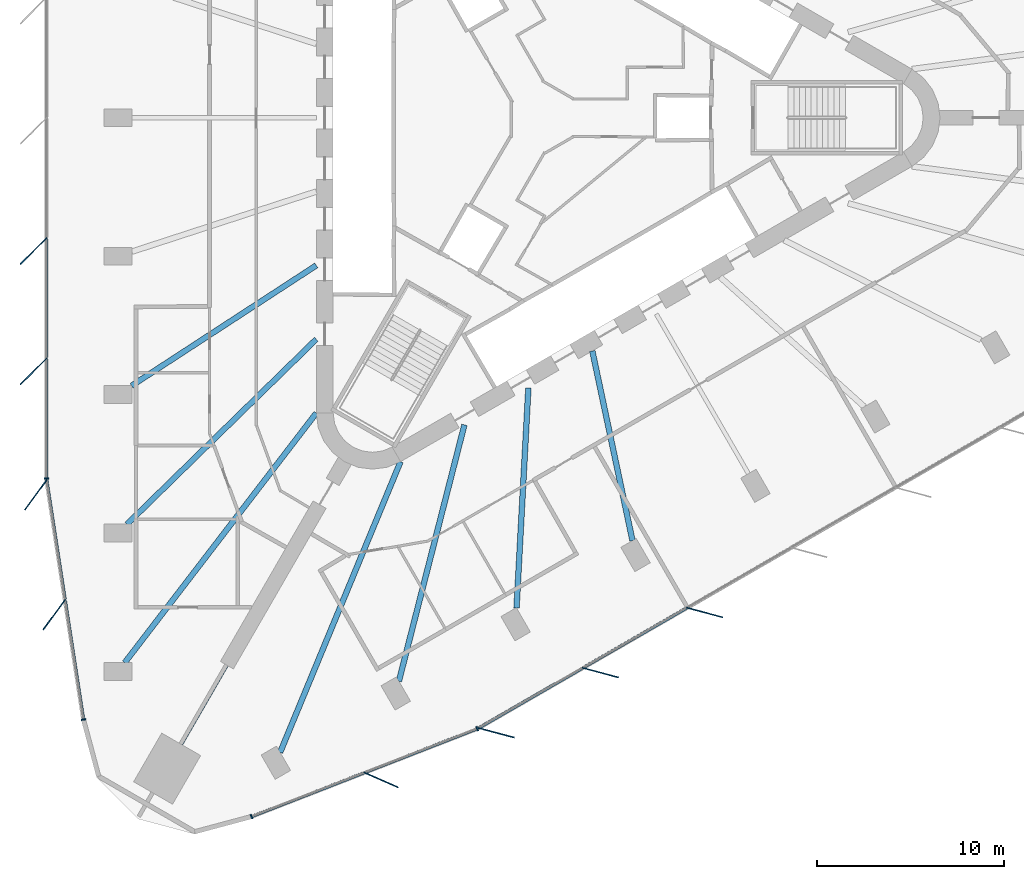
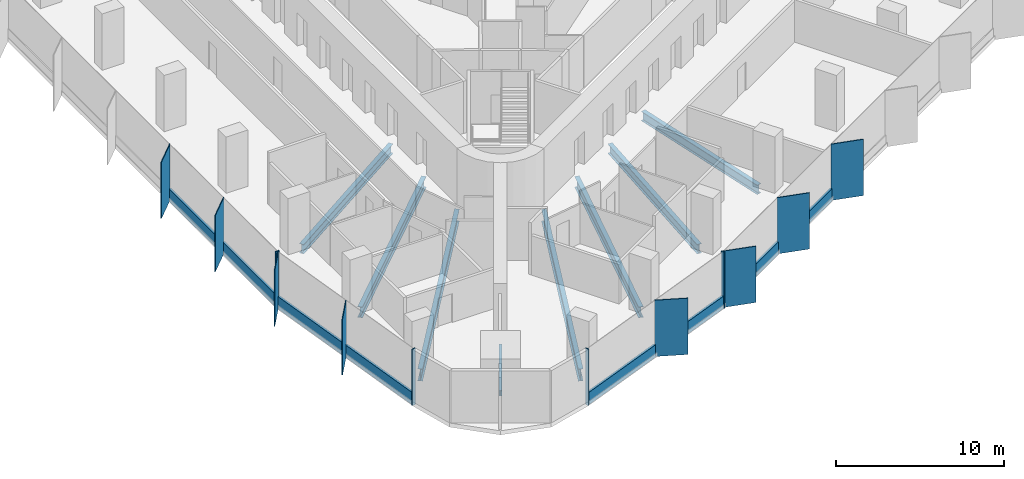
# One storey, part 2 of 15: 20 members, 8 beams, 4 elements without a shape of their own.
"""IFC4 building model written with IfcOpenShell, lengths in metres."""

from ifc_helpers import new_model, si_unit, direction, frame, origin, origin_2d, place, context, subcontext, project, spatial, rectangle, i_section, extrude, material, material_profile, profile_set, type_object, element, aggregate, save


model = new_model("IFC4")

# Units and contexts
model_context = context("Model", 3, precision=1e-05, world=origin(), true_north=direction((0.0, 1.0)))
body_context = subcontext(model_context, "Body", "Model", "MODEL_VIEW")
ifc_project = project(units=[si_unit("LENGTHUNIT", "METRE"), si_unit("AREAUNIT", "SQUARE_METRE"), si_unit("VOLUMEUNIT", "CUBIC_METRE"), si_unit("PLANEANGLEUNIT", "RADIAN"), si_unit("MASSUNIT", "GRAM", prefix="KILO")], contexts=[model_context])

# Site, building, storey
site_placement = place(None, origin())
site = spatial("IfcSite", under=ifc_project, at=site_placement, CompositionType="ELEMENT")
building_placement = place(site_placement, origin())
building = spatial("IfcBuilding", under=site, at=building_placement, Name="Tanit Gate Tower", CompositionType="ELEMENT")
storey_placement = place(building_placement, frame((0.0, 0.0, 139.800048828125)))
storey = spatial("IfcBuildingStorey", under=building, at=storey_placement, Name="L30", CompositionType="ELEMENT", Elevation=139.800048828125)

# Curtain wall, members
ifc_material_1 = material(Name="Aluminium bronze anodised and glass", Category="aluminium")
curtain_wall_type = type_object("IfcCurtainWallType", Name="Curtain wall typical low", PredefinedType="NOTDEFINED", material=ifc_material_1)
curtain_wall_1_placement = place(storey_placement, origin())
curtain_wall_1 = element("IfcCurtainWall", 1, at=curtain_wall_1_placement, inside=storey, type_object=curtain_wall_type, Name="Curtain wall L30 W2", PredefinedType="NOTDEFINED")
ifc_material_2 = material(Name="Aluminium bronze anodised", Category="aluminium")
ifc_material_profile_1 = material_profile(ifc_material_2, rectangle(XDim=2.0, YDim=0.055908203125, at=origin_2d()), Name="56x2000 bronze fin mullion")
ifc_profile_set_1 = profile_set([ifc_material_profile_1], Name="Aluminium bronze anodised")
member_type_1 = type_object("IfcMemberType", Name="FIN MULLION 56x2000 bronze", PredefinedType="MULLION", material=ifc_profile_set_1)
member_1_placement = place(storey_placement, frame((-27.19189453125, -7.11328125, -0.300048828125), z_axis=(0.0, 0.0, 1.0), x_axis=(0.707155809403, 0.707057749571, 0.0)))
member_1 = element("IfcMember", 2, at=member_1_placement, type_object=member_type_1, Name="Fin mullion L30 W2.5", PredefinedType="MULLION", context=body_context, shape_type="SweptSolid", body=[
    extrude(rectangle(XDim=2.0, YDim=0.055908203125, at=origin_2d()), origin(), (0.0, 0.0, 1.0), 4.10009765625),
])
member_2_placement = place(storey_placement, frame((-27.1923828125, -13.535400390625, -0.300048828125), z_axis=(0.0, 0.0, 1.0), x_axis=(0.707155809403, 0.707057749571, 0.0)))
member_2 = element("IfcMember", 3, at=member_2_placement, type_object=member_type_1, Name="Fin mullion L30 W2.6", PredefinedType="MULLION", context=body_context, shape_type="SweptSolid", body=[
    extrude(rectangle(XDim=2.0, YDim=0.055908203125, at=origin_2d()), origin(), (0.0, 0.0, 1.0), 4.10009765625),
])

curtain_wall_2_placement = place(storey_placement, origin())
curtain_wall_2 = element("IfcCurtainWall", 4, at=curtain_wall_2_placement, inside=storey, type_object=curtain_wall_type, Name="Curtain wall L30 W3", PredefinedType="NOTDEFINED")
member_3_placement = place(storey_placement, frame((-27.07373046875, -20.134033203125, -0.300048828125), z_axis=(0.0, 0.0, 1.0), x_axis=(0.591404079299, 0.806375356139, 0.0)))
member_3 = element("IfcMember", 5, at=member_3_placement, type_object=member_type_1, Name="Fin mullion L30 W3.1", PredefinedType="MULLION", context=body_context, shape_type="SweptSolid", body=[
    extrude(rectangle(XDim=2.0, YDim=0.055908203125, at=origin_2d()), origin(), (0.0, 0.0, 1.0), 4.10009765625),
])
member_4_placement = place(storey_placement, frame((-26.0908203125, -26.525390625, -0.300048828125), z_axis=(0.0, 0.0, 1.0), x_axis=(0.591404079299, 0.806375356139, 0.0)))
member_4 = element("IfcMember", 6, at=member_4_placement, type_object=member_type_1, Name="Fin mullion L30 W3.2", PredefinedType="MULLION", context=body_context, shape_type="SweptSolid", body=[
    extrude(rectangle(XDim=2.0, YDim=0.055908203125, at=origin_2d()), origin(), (0.0, 0.0, 1.0), 4.10009765625),
])

# Curtain wall, member
curtain_wall_3_placement = place(storey_placement, origin())
curtain_wall_3 = element("IfcCurtainWall", 7, at=curtain_wall_3_placement, inside=storey, type_object=curtain_wall_type, Name="Curtain wall L30 SE1", PredefinedType="NOTDEFINED")
member_5_placement = place(storey_placement, frame((-8.638671875, -35.35546875, -0.300048828125), z_axis=(0.0, 0.0, 1.0), x_axis=(-0.915440438595, 0.402453479778, 0.0)))
member_5 = element("IfcMember", 8, at=member_5_placement, type_object=member_type_1, Name="Fin mullion L30 SE1.2", PredefinedType="MULLION", context=body_context, shape_type="SweptSolid", body=[
    extrude(rectangle(XDim=2.0, YDim=0.055908203125, at=origin_2d()), origin(), (0.0, 0.0, 1.0), 4.10009765625),
])

# Curtain wall, members
curtain_wall_4_placement = place(storey_placement, origin())
curtain_wall_4 = element("IfcCurtainWall", 9, at=curtain_wall_4_placement, inside=storey, type_object=curtain_wall_type, Name="Curtain wall L30 SE2", PredefinedType="NOTDEFINED")
member_6_placement = place(storey_placement, frame((-2.49169921875, -32.835205078125, -0.300048828125), z_axis=(0.0, 0.0, 1.0), x_axis=(-0.965907877772, 0.258886020591, 0.0)))
member_6 = element("IfcMember", 10, at=member_6_placement, type_object=member_type_1, Name="Fin mullion L30 SE2.1", PredefinedType="MULLION", context=body_context, shape_type="SweptSolid", body=[
    extrude(rectangle(XDim=2.0, YDim=0.055908203125, at=origin_2d()), origin(), (0.0, 0.0, 1.0), 4.10009765625),
])
member_7_placement = place(storey_placement, frame((3.0703125, -29.62451171875, -0.300048828125), z_axis=(0.0, 0.0, 1.0), x_axis=(-0.965907877772, 0.258886020591, 0.0)))
member_7 = element("IfcMember", 11, at=member_7_placement, type_object=member_type_1, Name="Fin mullion L30 SE2.2", PredefinedType="MULLION", context=body_context, shape_type="SweptSolid", body=[
    extrude(rectangle(XDim=2.0, YDim=0.055908203125, at=origin_2d()), origin(), (0.0, 0.0, 1.0), 4.10009765625),
])
member_8_placement = place(storey_placement, frame((8.63232421875, -26.413818359375, -0.300048828125), z_axis=(0.0, 0.0, 1.0), x_axis=(-0.965907877772, 0.258886020591, 0.0)))
member_8 = element("IfcMember", 12, at=member_8_placement, type_object=member_type_1, Name="Fin mullion L30 SE2.3", PredefinedType="MULLION", context=body_context, shape_type="SweptSolid", body=[
    extrude(rectangle(XDim=2.0, YDim=0.055908203125, at=origin_2d()), origin(), (0.0, 0.0, 1.0), 4.10009765625),
])

# Member
ifc_material_3 = material(Name="Aluminium bronze anodised", Category="aluminium")
ifc_material_profile_2 = material_profile(ifc_material_3, rectangle(XDim=0.239990234375, YDim=0.080078125, at=origin_2d()), Name="80x240 bronze mullion")
ifc_profile_set_2 = profile_set([ifc_material_profile_2], Name="Aluminium bronze anodised")
member_type_2 = type_object("IfcMemberType", Name="Mullion 80x240 typical low", PredefinedType="MULLION", material=ifc_profile_set_2)
member_9_placement = place(storey_placement, frame((-26.501708984375, -19.2666015625, -0.300048828125), z_axis=(0.0, 0.0, 1.0), x_axis=(0.999999997596, -6.9338772e-05, 0.0)))
member_9 = element("IfcMember", 13, at=member_9_placement, type_object=member_type_2, Name="Mullion L30 W2.7", PredefinedType="MULLION", context=body_context, shape_type="SweptSolid", body=[
    extrude(rectangle(XDim=0.239990234375, YDim=0.080078125, at=origin_2d()), origin(), (0.0, 0.0, 1.0), 4.10009765625),
])

member_10_placement = place(storey_placement, frame((-24.52978515625, -32.12841796875, -0.300048828125), z_axis=(0.0, 0.0, 1.0), x_axis=(0.988379317401, 0.152007647614, 0.0)))
member_10 = element("IfcMember", 14, at=member_10_placement, type_object=member_type_2, Name="Mullion L30 W3.3", PredefinedType="MULLION", context=body_context, shape_type="SweptSolid", body=[
    extrude(rectangle(XDim=0.239990234375, YDim=0.080078125, at=origin_2d()), origin(), (0.0, 0.0, 1.0), 4.10009765625),
])

member_11_placement = place(storey_placement, frame((-15.559326171875, -37.3076171875, -0.300048828125), z_axis=(0.0, 0.0, 1.0), x_axis=(-0.36273655724, 0.931891726566, 0.0)))
member_11 = element("IfcMember", 15, at=member_11_placement, type_object=member_type_2, Name="Mullion L30 SE1.1", PredefinedType="MULLION", context=body_context, shape_type="SweptSolid", body=[
    extrude(rectangle(XDim=0.239990234375, YDim=0.080078125, at=origin_2d()), origin(), (0.0, 0.0, 1.0), 4.10009765625),
])

member_12_placement = place(storey_placement, frame((-3.507568359375, -32.61669921875, -0.300048828125), z_axis=(0.0, 0.0, 1.0), x_axis=(-0.36273655724, 0.931891726566, 0.0)))
member_12 = element("IfcMember", 16, at=member_12_placement, type_object=member_type_2, Name="Mullion L30 SE1.3", PredefinedType="MULLION", context=body_context, shape_type="SweptSolid", body=[
    extrude(rectangle(XDim=0.239990234375, YDim=0.080078125, at=origin_2d()), origin(), (0.0, 0.0, 1.0), 4.10009765625),
])

# Beams
ifc_material_4 = material(Name="Steel S355", Category="steel")
ifc_material_profile_3 = material_profile(ifc_material_4, i_section(OverallWidth=0.300048828125, OverallDepth=0.68994140625, WebThickness=0.014404296875, FlangeThickness=0.027099609375, FilletRadius=0.027099609375, at=origin_2d()), Name="HEA 700")
ifc_profile_set_3 = profile_set([ifc_material_profile_3], Name="Steel S355")
beam_type_1 = type_object("IfcBeamType", Name="RADIAL GIRDER HEA 700 S355", PredefinedType="BEAM", material=ifc_profile_set_3)
beam_1_placement = place(storey_placement, frame((-21.962158203125, -14.307861328125, -0.64501953125), z_axis=(0.837879591386, 0.54585510013, 0.0), x_axis=(-0.54585510013, 0.837879591386, 0.0)))
element("IfcBeam", 17, at=beam_1_placement, inside=storey, type_object=beam_type_1, Name="RADIAL GIRDER", PredefinedType="BEAM", context=body_context, shape_type="SweptSolid", body=[
    extrude(i_section(OverallWidth=0.300048828125, OverallDepth=0.68994140625, WebThickness=0.014404296875, FlangeThickness=0.027099609375, FilletRadius=0.027099609375, at=origin_2d()), origin(), (0.0, 0.0, 1.0), 11.767822265625),
])
beam_2_placement = place(storey_placement, frame((-1.409912109375, -26.173828125, -0.64501953125), z_axis=(0.053793562389, 0.998552078084, 0.0), x_axis=(-0.998552078084, 0.053793562389, 0.0)))
element("IfcBeam", 18, at=beam_2_placement, inside=storey, type_object=beam_type_1, Name="RADIAL GIRDER", PredefinedType="BEAM", context=body_context, shape_type="SweptSolid", body=[
    extrude(i_section(OverallWidth=0.300048828125, OverallDepth=0.68994140625, WebThickness=0.014404296875, FlangeThickness=0.027099609375, FilletRadius=0.027099609375, at=origin_2d()), origin(), (0.0, 0.0, 1.0), 11.768310546875),
])
beam_3_placement = place(storey_placement, frame((4.781005859375, -22.5751953125, -0.64501953125), z_axis=(-0.207169644951, 0.978305033316, 0.0), x_axis=(-0.978305033316, -0.207169644951, 0.0)))
element("IfcBeam", 19, at=beam_3_placement, inside=storey, type_object=beam_type_1, Name="RADIAL GIRDER", PredefinedType="BEAM", context=body_context, shape_type="SweptSolid", body=[
    extrude(i_section(OverallWidth=0.300048828125, OverallDepth=0.68994140625, WebThickness=0.014404296875, FlangeThickness=0.027099609375, FilletRadius=0.027099609375, at=origin_2d()), origin(), (0.0, 0.0, 1.0), 10.34814453125),
])
ifc_material_5 = material(Name="Steel S355", Category="steel")
ifc_material_profile_4 = material_profile(ifc_material_5, i_section(OverallWidth=0.300048828125, OverallDepth=0.7900390625, WebThickness=0.014892578125, FlangeThickness=0.028076171875, FilletRadius=0.030029296875, at=origin_2d()), Name="HEA 800")
ifc_profile_set_4 = profile_set([ifc_material_profile_4], Name="Steel S355")
beam_type_2 = type_object("IfcBeamType", Name="RADIAL GIRDER HEA 800 S355", PredefinedType="BEAM", material=ifc_profile_set_4)
beam_4_placement = place(storey_placement, frame((-22.205078125, -21.69921875, -0.695068359375), z_axis=(0.715208800213, 0.698910847031, 0.0), x_axis=(-0.698910847031, 0.715208800213, 0.0)))
element("IfcBeam", 20, at=beam_4_placement, inside=storey, type_object=beam_type_2, Name="RADIAL GIRDER", PredefinedType="BEAM", context=body_context, shape_type="SweptSolid", body=[
    extrude(i_section(OverallWidth=0.300048828125, OverallDepth=0.7900390625, WebThickness=0.014892578125, FlangeThickness=0.028076171875, FilletRadius=0.030029296875, at=origin_2d()), origin(), (0.0, 0.0, 1.0), 14.1259765625),
])
beam_5_placement = place(storey_placement, frame((-7.689697265625, -30.079833984375, -0.695068359375), z_axis=(0.247680464788, 0.968841776227, 0.0), x_axis=(-0.968841776227, 0.247680464788, 0.0)))
element("IfcBeam", 21, at=beam_5_placement, inside=storey, type_object=beam_type_2, Name="RADIAL GIRDER", PredefinedType="BEAM", context=body_context, shape_type="SweptSolid", body=[
    extrude(i_section(OverallWidth=0.300048828125, OverallDepth=0.7900390625, WebThickness=0.014892578125, FlangeThickness=0.028076171875, FilletRadius=0.030029296875, at=origin_2d()), origin(), (0.0, 0.0, 1.0), 14.126220703125),
])
ifc_material_6 = material(Name="Steel S355", Category="steel")
ifc_material_profile_5 = material_profile(ifc_material_6, i_section(OverallWidth=0.300048828125, OverallDepth=0.889892578125, WebThickness=0.01611328125, FlangeThickness=0.030029296875, FilletRadius=0.030029296875, at=origin_2d()), Name="HEA 900")
ifc_profile_set_5 = profile_set([ifc_material_profile_5], Name="Steel S355")
beam_type_3 = type_object("IfcBeamType", Name="RADIAL GIRDER HEA 900 S355", PredefinedType="BEAM", material=ifc_profile_set_5)
for number, where, z_axis, x_axis, name in (
    (22, (-22.32666015625, -29.0908203125, -0.7451171875), (0.60883155025, 0.793299529446, 0.0), (-0.793299529446, 0.60883155025, 0.0), "RADIAL GIRDER"),
    (23, (-14.030029296875, -33.880859375, -0.7451171875), (0.382589309945, 0.923918513677, 0.0), (-0.923918513677, 0.382589309945, 0.0), "RADIAL GIRDER"),
):
    element("IfcBeam", number, at=place(storey_placement, frame(where, z_axis=z_axis, x_axis=x_axis)), inside=storey, type_object=beam_type_3, Name=name, PredefinedType="BEAM", context=body_context, shape_type="SweptSolid", body=[
        extrude(i_section(OverallWidth=0.300048828125, OverallDepth=0.889892578125, WebThickness=0.01611328125, FlangeThickness=0.030029296875, FilletRadius=0.030029296875, at=origin_2d()), origin(), (0.0, 0.0, 1.0), 16.794921875),
    ])
ifc_material_7 = material(Name="Steel S355", Category="steel")
ifc_material_profile_6 = material_profile(ifc_material_7, i_section(OverallWidth=0.179931640625, OverallDepth=0.39990234375, WebThickness=0.008544921875, FlangeThickness=0.013427734375, FilletRadius=0.02099609375, at=origin_2d()), Name="IPE 400")
ifc_profile_set_6 = profile_set([ifc_material_profile_6], Name="Steel S355")
beam_type_4 = type_object("IfcBeamType", Name="RADIAL GIRDER IPE 400 S355", PredefinedType="BEAM", material=ifc_profile_set_6)
beam_6_placement = place(storey_placement, frame((-19.31396484375, -33.45263671875, -0.5), z_axis=(0.500002508028, 0.866023955769, 0.0), x_axis=(-0.866023955769, 0.500002508028, 0.0)))
element("IfcBeam", 24, at=beam_6_placement, inside=storey, type_object=beam_type_4, Name="RADIAL GIRDER", PredefinedType="BEAM", context=body_context, shape_type="SweptSolid", body=[
    extrude(i_section(OverallWidth=0.179931640625, OverallDepth=0.39990234375, WebThickness=0.008544921875, FlangeThickness=0.013427734375, FilletRadius=0.02099609375, at=origin_2d()), origin(), (0.0, 0.0, 1.0), 4.8798828125),
])

# Member
ifc_material_8 = material(Name="Aluminium bronze anodised", Category="aluminium")
ifc_material_profile_7 = material_profile(ifc_material_8, rectangle(XDim=0.159912109375, YDim=0.89990234375, at=origin_2d()), Name="160x900 bronze transom")
ifc_profile_set_7 = profile_set([ifc_material_profile_7], Name="Aluminium bronze anodised")
member_type_3 = type_object("IfcMemberType", Name="Transom 160x900 typical low", PredefinedType="USERDEFINED", material=ifc_profile_set_7)
member_13_placement = place(storey_placement, frame((-26.500732421875, -6.462158203125, 0.14990234375), z_axis=(-7.6991184e-05, -0.999999997036, 0.0), x_axis=(0.999999997036, -7.6991184e-05, 0.0)))
member_13 = element("IfcMember", 25, at=member_13_placement, type_object=member_type_3, Name="Transom L30 W2.5", ObjectType="TRANSOM", PredefinedType="USERDEFINED", context=body_context, shape_type="SweptSolid", body=[
    extrude(rectangle(XDim=0.159912109375, YDim=0.89990234375, at=origin_2d()), origin(), (0.0, 0.0, 1.0), 6.342041015625),
])

member_14_placement = place(storey_placement, frame((-26.501220703125, -12.88427734375, 0.14990234375), z_axis=(-7.6988221e-05, -0.999999997036, 0.0), x_axis=(0.999999997036, -7.6988221e-05, 0.0)))
member_14 = element("IfcMember", 26, at=member_14_placement, type_object=member_type_3, Name="Transom L30 W2.6", ObjectType="TRANSOM", PredefinedType="USERDEFINED", context=body_context, shape_type="SweptSolid", body=[
    extrude(rectangle(XDim=0.159912109375, YDim=0.89990234375, at=origin_2d()), origin(), (0.0, 0.0, 1.0), 6.34228515625),
])

aggregate(curtain_wall_1, [member_1, member_2, member_9, member_13, member_14])

member_15_placement = place(storey_placement, frame((-26.489501953125, -19.385498046875, 0.14990234375), z_axis=(0.151993986434, -0.988381418324, 0.0), x_axis=(0.988381418324, 0.151993986434, 0.0)))
member_15 = element("IfcMember", 27, at=member_15_placement, type_object=member_type_3, Name="Transom L30 W3.1", ObjectType="TRANSOM", PredefinedType="USERDEFINED", context=body_context, shape_type="SweptSolid", body=[
    extrude(rectangle(XDim=0.159912109375, YDim=0.89990234375, at=origin_2d()), origin(), (0.0, 0.0, 1.0), 6.386474609375),
])

member_16_placement = place(storey_placement, frame((-25.506591796875, -25.77685546875, 0.14990234375), z_axis=(0.151993986434, -0.988381418324, 0.0), x_axis=(0.988381418324, 0.151993986434, 0.0)))
member_16 = element("IfcMember", 28, at=member_16_placement, type_object=member_type_3, Name="Transom L30 W3.2", ObjectType="TRANSOM", PredefinedType="USERDEFINED", context=body_context, shape_type="SweptSolid", body=[
    extrude(rectangle(XDim=0.159912109375, YDim=0.89990234375, at=origin_2d()), origin(), (0.0, 0.0, 1.0), 6.386474609375),
])

aggregate(curtain_wall_2, [member_3, member_4, member_10, member_15, member_16])

member_17_placement = place(storey_placement, frame((-15.52197265625, -37.293212890625, 0.14990234375), z_axis=(0.931882653297, 0.362759866144, 0.0), x_axis=(-0.362759866144, 0.931882653297, 0.0)))
member_17 = element("IfcMember", 29, at=member_17_placement, type_object=member_type_3, Name="Transom L30 SE1.1", ObjectType="TRANSOM", PredefinedType="USERDEFINED", context=body_context, shape_type="SweptSolid", body=[
    extrude(rectangle(XDim=0.159912109375, YDim=0.89990234375, at=origin_2d()), origin(), (0.0, 0.0, 1.0), 6.38623046875),
])

member_18_placement = place(storey_placement, frame((-9.49609375, -34.947509765625, 0.14990234375), z_axis=(0.931895576358, 0.362726666741, 0.0), x_axis=(-0.362726666741, 0.931895576358, 0.0)))
member_18 = element("IfcMember", 30, at=member_18_placement, type_object=member_type_3, Name="Transom L30 SE1.2", ObjectType="TRANSOM", PredefinedType="USERDEFINED", context=body_context, shape_type="SweptSolid", body=[
    extrude(rectangle(XDim=0.159912109375, YDim=0.89990234375, at=origin_2d()), origin(), (0.0, 0.0, 1.0), 6.385986328125),
])

aggregate(curtain_wall_3, [member_11, member_5, member_12, member_17, member_18])

member_19_placement = place(storey_placement, frame((-3.401123046875, -32.56201171875, 0.14990234375), z_axis=(0.866062512225, 0.499935720787, 0.0), x_axis=(-0.499935720787, 0.866062512225, 0.0)))
member_19 = element("IfcMember", 31, at=member_19_placement, type_object=member_type_3, Name="Transom L30 SE2.1", ObjectType="TRANSOM", PredefinedType="USERDEFINED", context=body_context, shape_type="SweptSolid", body=[
    extrude(rectangle(XDim=0.159912109375, YDim=0.89990234375, at=origin_2d()), origin(), (0.0, 0.0, 1.0), 6.342041015625),
])

member_20_placement = place(storey_placement, frame((2.160888671875, -29.351318359375, 0.14990234375), z_axis=(0.866062512225, 0.499935720787, 0.0), x_axis=(-0.499935720787, 0.866062512225, 0.0)))
member_20 = element("IfcMember", 32, at=member_20_placement, type_object=member_type_3, Name="Transom L30 SE2.2", ObjectType="TRANSOM", PredefinedType="USERDEFINED", context=body_context, shape_type="SweptSolid", body=[
    extrude(rectangle(XDim=0.159912109375, YDim=0.89990234375, at=origin_2d()), origin(), (0.0, 0.0, 1.0), 6.342041015625),
])

aggregate(curtain_wall_4, [member_6, member_7, member_8, member_19, member_20])

save(model, "model.ifc")
